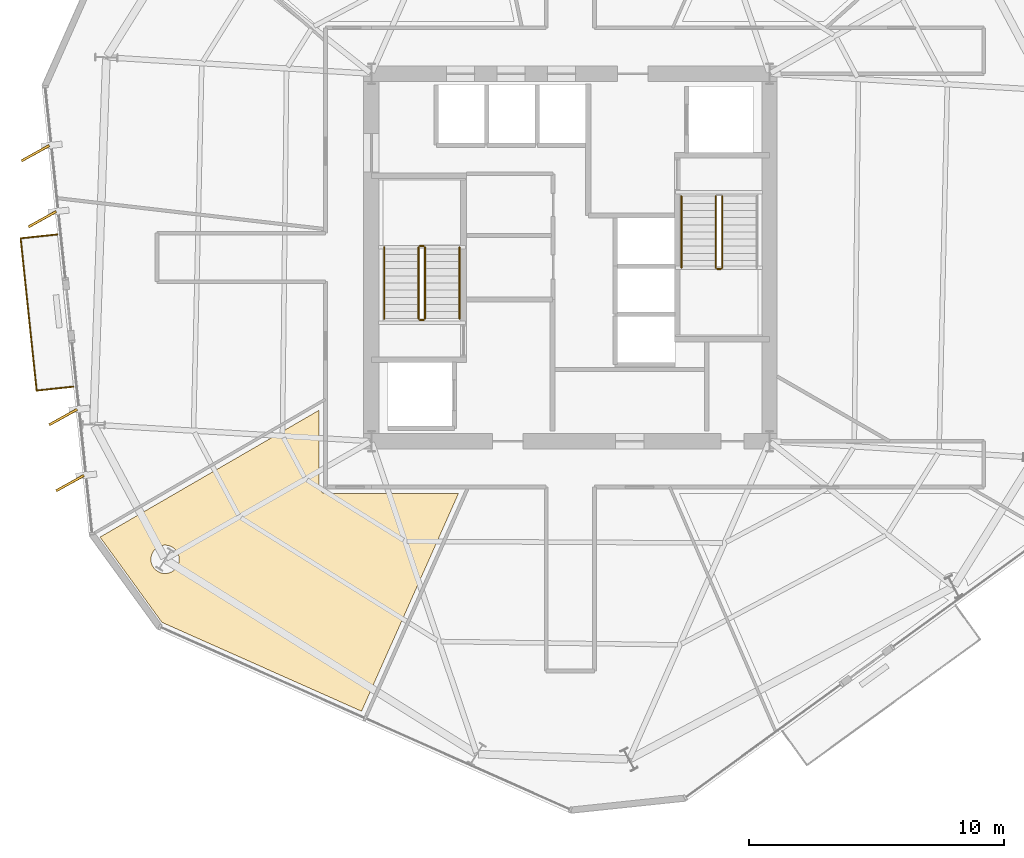
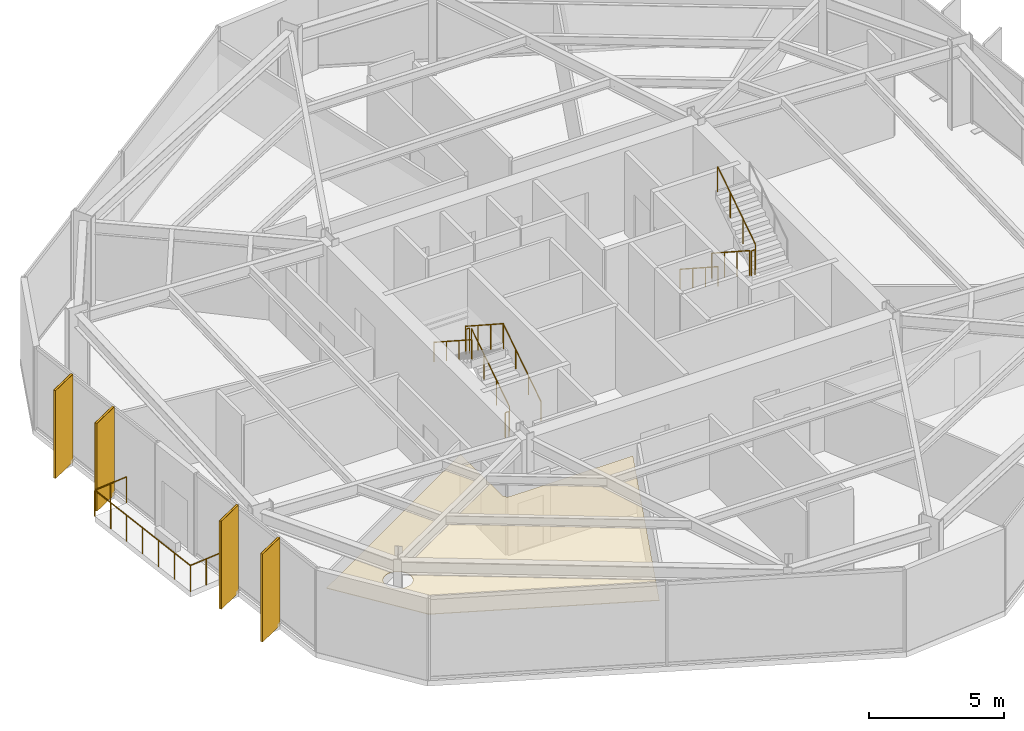
# One storey, part 10 of 12: 11 railings, 5 coverings, 4 shading devices.
"""IFC4 building model written with IfcOpenShell, lengths in metres."""

from ifc_helpers import new_model, si_unit, direction, frame, origin, origin_2d, place, context, subcontext, project, spatial, polyline, rectangle, circle, outline, extrude, material, layer, layer_set, type_object, element, save


model = new_model("IFC4")

# Units and contexts
model_context = context("Model", 3, precision=1e-05, world=origin(), true_north=direction((0.0, 1.0)))
body_context = subcontext(model_context, "Body", "Model", "MODEL_VIEW")
ifc_project = project(units=[si_unit("LENGTHUNIT", "METRE"), si_unit("AREAUNIT", "SQUARE_METRE"), si_unit("VOLUMEUNIT", "CUBIC_METRE"), si_unit("PLANEANGLEUNIT", "RADIAN"), si_unit("MASSUNIT", "GRAM", prefix="KILO")], contexts=[model_context])

# Site, building, storey
site_placement = place(None, origin())
site = spatial("IfcSite", under=ifc_project, at=site_placement, CompositionType="ELEMENT")
building_placement = place(site_placement, origin())
building = spatial("IfcBuilding", under=site, at=building_placement, Name="Kranzbogen Civic Tower", CompositionType="ELEMENT")
storey_placement = place(building_placement, frame((0.0, 0.0, 166.39990234375)))
storey = spatial("IfcBuildingStorey", under=building, at=storey_placement, Name="L40", CompositionType="ELEMENT", Elevation=166.39990234375)

# Coverings
ifc_material_1 = material(Name="Pale Anodised Aluminium", Category="aluminium")
ifc_layer_1 = layer(ifc_material_1, 0.02490234375, Name="Pale Anodised Aluminium")
ifc_layer_set_1 = layer_set([ifc_layer_1], Name="Pale Anodised Aluminium")
covering_type_1 = type_object("IfcCoveringType", Name="Anodised Aluminium Vertical Fin Cladding 25 mm", PredefinedType="CLADDING", material=ifc_layer_set_1)
for number, where, z_axis, x_axis, name in (
    (1, (4.032958984375, 29.0859375, -0.139892578125), (0.0, 0.0, 1.0), (-0.874501219693, -0.485023315682, 0.0), "L40 vertical fin pale-metal cladding F3-1"),
    (2, (4.304931640625, 26.5, -0.139892578125), (0.0, 0.0, 1.0), (-0.874501219693, -0.485023315682, 0.0), "L40 vertical fin pale-metal cladding F3-2"),
    (3, (5.1201171875, 18.742919921875, -0.139892578125), (0.0, 0.0, 1.0), (-0.874501219693, -0.485023315682, 0.0), "L40 vertical fin pale-metal cladding F3-5"),
    (4, (5.39111328125, 16.156982421875, -0.139892578125), (0.0, 0.0, 1.0), (-0.874501219693, -0.485023315682, 0.0), "L40 vertical fin pale-metal cladding F3-6"),
):
    element("IfcCovering", number, at=place(storey_placement, frame(where, z_axis=z_axis, x_axis=x_axis)), inside=storey, type_object=covering_type_1, Name=name, PredefinedType="CLADDING", context=body_context, shape_type="SweptSolid", body=[
        extrude(rectangle(XDim=1.25, YDim=0.10009765625, at=origin_2d()), origin(), (0.0, 0.0, 1.0), 3.9599609375),
    ])

# Shading devices
ifc_material_2 = material(Name="Anodised Bronze Aluminium", Category="aluminium")
shading_device_type = type_object("IfcShadingDeviceType", Name="Anodised Bronze Vertical Facade Fin 1250x80", PredefinedType="USERDEFINED", material=ifc_material_2)
for number, where, z_axis, x_axis, name in (
    (5, (4.032958984375, 29.0859375, -0.139892578125), (0.0, 0.0, 1.0), (-0.874501219693, -0.485023315682, 0.0), "L40 vertical exterior shading fin F3-1"),
    (6, (4.304931640625, 26.5, -0.139892578125), (0.0, 0.0, 1.0), (-0.874501219693, -0.485023315682, 0.0), "L40 vertical exterior shading fin F3-2"),
    (7, (5.1201171875, 18.742919921875, -0.139892578125), (0.0, 0.0, 1.0), (-0.874501219693, -0.485023315682, 0.0), "L40 vertical exterior shading fin F3-5"),
    (8, (5.39111328125, 16.156982421875, -0.139892578125), (0.0, 0.0, 1.0), (-0.874501219693, -0.485023315682, 0.0), "L40 vertical exterior shading fin F3-6"),
):
    element("IfcShadingDevice", number, at=place(storey_placement, frame(where, z_axis=z_axis, x_axis=x_axis)), inside=storey, type_object=shading_device_type, Name=name, ObjectType="FIN", PredefinedType="USERDEFINED", context=body_context, shape_type="SweptSolid", body=[
        extrude(rectangle(XDim=1.25, YDim=0.080078125, at=origin_2d()), origin(), (0.0, 0.0, 1.0), 3.9599609375),
    ])

# Railings
railing_type_1 = type_object("IfcRailingType", Name="Cantilevered Balcony Glass and Bronze Balustrade 1200", PredefinedType="BALUSTRADE", material=ifc_material_2)
railing_1_placement = place(storey_placement, frame((4.89501953125, 25.903076171875, 0.0)))
element("IfcRailing", 9, at=railing_1_placement, inside=storey, type_object=railing_type_1, Name="L40 exterior terrace balustrade L40-TB1", PredefinedType="BALUSTRADE", context=body_context, shape_type="SweptSolid", body=[
    extrude(circle(Radius=0.02392578125, at=origin_2d()), frame((0.0, 0.0, 1.17578125), z_axis=(-0.994484214912, -0.104886349397, 0.0), x_axis=(0.104886349397, -0.994484214912, 0.0)), (0.0, 0.0, 1.0), 1.4501953125),
    extrude(circle(Radius=0.02392578125, at=origin_2d()), frame((-1.442138671875, -0.152099609375, 1.17578125), z_axis=(0.104695375061, -0.99450433807, 0.0), x_axis=(0.99450433807, 0.104695375061, 0.0)), (0.0, 0.0, 1.0), 6.0),
    extrude(circle(Radius=0.02392578125, at=origin_2d()), frame((-0.81396484375, -6.119140625, 1.17578125), z_axis=(0.994482362328, 0.104903913263, 0.0), x_axis=(-0.104903913263, 0.994482362328, 0.0)), (0.0, 0.0, 1.0), 1.449951171875),
    extrude(circle(Radius=0.02099609375, at=origin_2d()), origin(), (0.0, 0.0, 1.0), 1.15185546875),
    extrude(circle(Radius=0.02099609375, at=origin_2d()), frame((-0.72119140625, -0.076171875, 0.0)), (0.0, 0.0, 1.0), 1.15185546875),
    extrude(circle(Radius=0.02099609375, at=origin_2d()), frame((-1.442138671875, -0.152099609375, 0.0)), (0.0, 0.0, 1.0), 1.15185546875),
    extrude(circle(Radius=0.02099609375, at=origin_2d()), frame((-1.33740234375, -1.146484375, 0.0)), (0.0, 0.0, 1.0), 1.15185546875),
    extrude(circle(Radius=0.02099609375, at=origin_2d()), frame((-1.232666015625, -2.14111328125, 0.0)), (0.0, 0.0, 1.0), 1.15185546875),
    extrude(circle(Radius=0.02099609375, at=origin_2d()), frame((-1.1279296875, -3.1357421875, 0.0)), (0.0, 0.0, 1.0), 1.15185546875),
    extrude(circle(Radius=0.02099609375, at=origin_2d()), frame((-1.0234375, -4.130126953125, 0.0)), (0.0, 0.0, 1.0), 1.15185546875),
    extrude(circle(Radius=0.02099609375, at=origin_2d()), frame((-0.918701171875, -5.12451171875, 0.0)), (0.0, 0.0, 1.0), 1.15185546875),
    extrude(circle(Radius=0.02099609375, at=origin_2d()), frame((-0.81396484375, -6.119140625, 0.0)), (0.0, 0.0, 1.0), 1.15185546875),
    extrude(circle(Radius=0.02099609375, at=origin_2d()), frame((-0.093017578125, -6.04296875, 0.0)), (0.0, 0.0, 1.0), 1.15185546875),
    extrude(circle(Radius=0.02099609375, at=origin_2d()), frame((0.6279296875, -5.967041015625, 0.0)), (0.0, 0.0, 1.0), 1.15185546875),
])
ifc_material_3 = material(Name="Steel S355", Category="steel")
railing_type_2 = type_object("IfcRailingType", Name="Internal Stair and Void Steel Guardrail 1150", PredefinedType="GUARDRAIL", material=ifc_material_3)
railing_2_placement = place(storey_placement, frame((19.300048828125, 22.60009765625, 0.181884765625)))
element("IfcRailing", 10, at=railing_2_placement, inside=storey, type_object=railing_type_2, Name="L40 ST-T1 stair guard 1", PredefinedType="GUARDRAIL", context=body_context, shape_type="SweptSolid", body=[
    extrude(circle(Radius=0.02392578125, at=origin_2d()), frame((0.0, 0.0, 1.1259765625), z_axis=(0.0, 0.83868413941, 0.544618136222), x_axis=(-1.0, 0.0, 0.0)), (0.0, 0.0, 1.0), 3.33837890625),
    extrude(circle(Radius=0.02099609375, at=origin_2d()), origin(), (0.0, 0.0, 1.0), 1.101806640625),
    extrude(circle(Radius=0.02099609375, at=origin_2d()), frame((0.0, 0.933349609375, 0.60595703125)), (0.0, 0.0, 1.0), 1.101806640625),
    extrude(circle(Radius=0.02099609375, at=origin_2d()), frame((0.0, 1.866455078125, 1.212158203125)), (0.0, 0.0, 1.0), 1.101806640625),
    extrude(circle(Radius=0.02099609375, at=origin_2d()), frame((0.0, 2.7998046875, 1.818115234375)), (0.0, 0.0, 1.0), 1.101806640625),
])
railing_3_placement = place(storey_placement, frame((19.25, 25.449951171875, 2.0)))
element("IfcRailing", 11, at=railing_3_placement, inside=storey, type_object=railing_type_2, Name="L40 ST-T1 stair guard 2", PredefinedType="GUARDRAIL", context=body_context, shape_type="SweptSolid", body=[
    extrude(circle(Radius=0.02392578125, at=origin_2d()), frame((0.0, 0.0, 1.1259765625), z_axis=(-1.0, 0.0, 0.0), x_axis=(0.0, -1.0, 0.0)), (0.0, 0.0, 1.0), 0.14990234375),
    extrude(circle(Radius=0.02099609375, at=origin_2d()), origin(), (0.0, 0.0, 1.0), 1.101806640625),
    extrude(circle(Radius=0.02099609375, at=origin_2d()), frame((-0.14990234375, 0.0, 0.0)), (0.0, 0.0, 1.0), 1.101806640625),
])
railing_4_placement = place(storey_placement, frame((19.050048828125, 25.39990234375, 2.181884765625)))
element("IfcRailing", 12, at=railing_4_placement, inside=storey, type_object=railing_type_2, Name="L40 ST-T1 stair guard 3", PredefinedType="GUARDRAIL", context=body_context, shape_type="SweptSolid", body=[
    extrude(circle(Radius=0.02392578125, at=origin_2d()), frame((0.0, 0.0, 1.1259765625), z_axis=(0.0, -0.83868413941, 0.544618136222), x_axis=(1.0, 0.0, 0.0)), (0.0, 0.0, 1.0), 3.33837890625),
    extrude(circle(Radius=0.02099609375, at=origin_2d()), origin(), (0.0, 0.0, 1.0), 1.101806640625),
    extrude(circle(Radius=0.02099609375, at=origin_2d()), frame((0.0, -0.933349609375, 0.60595703125)), (0.0, 0.0, 1.0), 1.101806640625),
    extrude(circle(Radius=0.02099609375, at=origin_2d()), frame((0.0, -1.866455078125, 1.212158203125)), (0.0, 0.0, 1.0), 1.101806640625),
    extrude(circle(Radius=0.02099609375, at=origin_2d()), frame((0.0, -2.7998046875, 1.818115234375)), (0.0, 0.0, 1.0), 1.101806640625),
])
railing_5_placement = place(storey_placement, frame((19.25, 22.550048828125, 0.0)))
element("IfcRailing", 13, at=railing_5_placement, inside=storey, type_object=railing_type_2, Name="L40 ST-T1 stair guard 4", PredefinedType="GUARDRAIL", context=body_context, shape_type="SweptSolid", body=[
    extrude(circle(Radius=0.02392578125, at=origin_2d()), frame((0.0, 0.0, 1.1259765625), z_axis=(-1.0, 0.0, 0.0), x_axis=(0.0, -1.0, 0.0)), (0.0, 0.0, 1.0), 0.14990234375),
    extrude(circle(Radius=0.02099609375, at=origin_2d()), origin(), (0.0, 0.0, 1.0), 1.101806640625),
    extrude(circle(Radius=0.02099609375, at=origin_2d()), frame((-0.14990234375, 0.0, 0.0)), (0.0, 0.0, 1.0), 1.101806640625),
])
railing_6_placement = place(storey_placement, frame((30.699951171875, 27.39990234375, 0.181884765625)))
element("IfcRailing", 14, at=railing_6_placement, inside=storey, type_object=railing_type_2, Name="L40 ST-T2 stair guard 1", PredefinedType="GUARDRAIL", context=body_context, shape_type="SweptSolid", body=[
    extrude(circle(Radius=0.02392578125, at=origin_2d()), frame((0.0, 0.0, 1.1259765625), z_axis=(0.0, -0.83868413941, 0.544618136222), x_axis=(1.0, 0.0, 0.0)), (0.0, 0.0, 1.0), 3.33837890625),
    extrude(circle(Radius=0.02099609375, at=origin_2d()), origin(), (0.0, 0.0, 1.0), 1.101806640625),
    extrude(circle(Radius=0.02099609375, at=origin_2d()), frame((0.0, -0.933349609375, 0.60595703125)), (0.0, 0.0, 1.0), 1.101806640625),
    extrude(circle(Radius=0.02099609375, at=origin_2d()), frame((0.0, -1.866455078125, 1.212158203125)), (0.0, 0.0, 1.0), 1.101806640625),
    extrude(circle(Radius=0.02099609375, at=origin_2d()), frame((0.0, -2.7998046875, 1.818115234375)), (0.0, 0.0, 1.0), 1.101806640625),
])
railing_7_placement = place(storey_placement, frame((30.75, 24.550048828125, 2.0)))
element("IfcRailing", 15, at=railing_7_placement, inside=storey, type_object=railing_type_2, Name="L40 ST-T2 stair guard 2", PredefinedType="GUARDRAIL", context=body_context, shape_type="SweptSolid", body=[
    extrude(circle(Radius=0.02392578125, at=origin_2d()), frame((0.0, 0.0, 1.1259765625), z_axis=(1.0, 0.0, 0.0), x_axis=(0.0, 1.0, 0.0)), (0.0, 0.0, 1.0), 0.14990234375),
    extrude(circle(Radius=0.02099609375, at=origin_2d()), origin(), (0.0, 0.0, 1.0), 1.101806640625),
    extrude(circle(Radius=0.02099609375, at=origin_2d()), frame((0.14990234375, 0.0, 0.0)), (0.0, 0.0, 1.0), 1.101806640625),
])
railing_8_placement = place(storey_placement, frame((30.949951171875, 24.60009765625, 2.181884765625)))
element("IfcRailing", 16, at=railing_8_placement, inside=storey, type_object=railing_type_2, Name="L40 ST-T2 stair guard 3", PredefinedType="GUARDRAIL", context=body_context, shape_type="SweptSolid", body=[
    extrude(circle(Radius=0.02392578125, at=origin_2d()), frame((0.0, 0.0, 1.1259765625), z_axis=(0.0, 0.83868413941, 0.544618136222), x_axis=(-1.0, 0.0, 0.0)), (0.0, 0.0, 1.0), 3.33837890625),
    extrude(circle(Radius=0.02099609375, at=origin_2d()), origin(), (0.0, 0.0, 1.0), 1.101806640625),
    extrude(circle(Radius=0.02099609375, at=origin_2d()), frame((0.0, 0.933349609375, 0.60595703125)), (0.0, 0.0, 1.0), 1.101806640625),
    extrude(circle(Radius=0.02099609375, at=origin_2d()), frame((0.0, 1.866455078125, 1.212158203125)), (0.0, 0.0, 1.0), 1.101806640625),
    extrude(circle(Radius=0.02099609375, at=origin_2d()), frame((0.0, 2.7998046875, 1.818115234375)), (0.0, 0.0, 1.0), 1.101806640625),
])

# Covering
ifc_material_4 = material(Name="Perforated Acoustic Gypsum Ceiling")
ifc_layer_2 = layer(ifc_material_4, 0.02490234375, Name="Perforated Acoustic Gypsum Ceiling")
ifc_layer_set_2 = layer_set([ifc_layer_2], Name="Perforated Acoustic Gypsum Ceiling")
covering_type_2 = type_object("IfcCoveringType", Name="Perforated Acoustic Mineral Ceiling Tile 25 mm", PredefinedType="CEILING", material=ifc_layer_set_2)
covering_placement = place(storey_placement, frame((0.0, 0.0, 2.75)))
element("IfcCovering", 17, at=covering_placement, inside=storey, type_object=covering_type_2, Name="L40 Urban Design Workshop acoustic ceiling", PredefinedType="CEILING", context=body_context, shape_type="SweptSolid", body=[
    extrude(outline(polyline([(6.56591796875, 14.041015625), (15.155029296875, 19.01611328125), (15.155029296875, 16.0), (15.155029296875, 15.990966796875), (15.156005859375, 15.985107421875), (15.156982421875, 15.967041015625), (15.157958984375, 15.9609375), (15.162109375, 15.944091796875), (15.1630859375, 15.93701171875), (15.16796875, 15.919921875), (15.169921875, 15.9140625), (15.177001953125, 15.89794921875), (15.179931640625, 15.89208984375), (15.18798828125, 15.876953125), (15.19189453125, 15.87109375), (15.200927734375, 15.85693359375), (15.205078125, 15.85205078125), (15.216064453125, 15.837890625), (15.220947265625, 15.8330078125), (15.23291015625, 15.821044921875), (15.238037109375, 15.81591796875), (15.251953125, 15.804931640625), (15.257080078125, 15.801025390625), (15.27099609375, 15.7919921875), (15.277099609375, 15.7880859375), (15.2919921875, 15.780029296875), (15.298095703125, 15.777099609375), (15.31396484375, 15.77001953125), (15.320068359375, 15.76806640625), (15.3369140625, 15.762939453125), (15.343994140625, 15.761962890625), (15.361083984375, 15.758056640625), (15.366943359375, 15.757080078125), (15.385009765625, 15.756103515625), (15.39111328125, 15.7548828125), (15.39990234375, 15.7548828125), (20.614990234375, 15.7548828125), (16.81396484375, 7.217041015625), (8.9951171875, 10.697998046875), (6.56591796875, 14.041015625)]), holes=[polyline([(9.6259765625, 12.958984375), (9.60302734375, 12.909912109375), (9.574951171875, 12.863037109375), (9.54296875, 12.819091796875), (9.506103515625, 12.779052734375), (9.466064453125, 12.741943359375), (9.422119140625, 12.7099609375), (9.375, 12.681884765625), (9.325927734375, 12.658935546875), (9.27490234375, 12.64111328125), (9.221923828125, 12.626953125), (9.16796875, 12.618896484375), (9.114013671875, 12.616943359375), (9.06005859375, 12.618896484375), (9.006103515625, 12.626953125), (8.952880859375, 12.64111328125), (8.902099609375, 12.658935546875), (8.85302734375, 12.681884765625), (8.805908203125, 12.7099609375), (8.761962890625, 12.741943359375), (8.721923828125, 12.779052734375), (8.68505859375, 12.819091796875), (8.653076171875, 12.863037109375), (8.625, 12.909912109375), (8.60205078125, 12.958984375), (8.583984375, 13.010009765625), (8.570068359375, 13.06298828125), (8.56201171875, 13.116943359375), (8.56005859375, 13.1708984375), (8.56201171875, 13.22509765625), (8.570068359375, 13.279052734375), (8.583984375, 13.33203125), (8.60205078125, 13.383056640625), (8.625, 13.431884765625), (8.653076171875, 13.47900390625), (8.68505859375, 13.52294921875), (8.721923828125, 13.56298828125), (8.761962890625, 13.60009765625), (8.805908203125, 13.632080078125), (8.85302734375, 13.659912109375), (8.902099609375, 13.68310546875), (8.952880859375, 13.700927734375), (9.006103515625, 13.715087890625), (9.06005859375, 13.722900390625), (9.114013671875, 13.72509765625), (9.16796875, 13.722900390625), (9.221923828125, 13.715087890625), (9.27490234375, 13.700927734375), (9.325927734375, 13.68310546875), (9.375, 13.659912109375), (9.422119140625, 13.632080078125), (9.466064453125, 13.60009765625), (9.506103515625, 13.56298828125), (9.54296875, 13.52294921875), (9.574951171875, 13.47900390625), (9.60302734375, 13.431884765625), (9.6259765625, 13.383056640625), (9.64404296875, 13.33203125), (9.657958984375, 13.279052734375), (9.666015625, 13.22509765625), (9.66796875, 13.1708984375), (9.666015625, 13.116943359375), (9.657958984375, 13.06298828125), (9.64404296875, 13.010009765625), (9.6259765625, 12.958984375)])]), origin(), (0.0, 0.0, 1.0), 0.025146484375),
])

# Railings
railing_type_3 = type_object("IfcRailingType", Name="Tubular Stainless Stair Wall Handrail 900", PredefinedType="HANDRAIL", material=ifc_material_1)
railing_9_placement = place(storey_placement, frame((20.64990234375, 22.60009765625, 0.181884765625)))
element("IfcRailing", 18, at=railing_9_placement, inside=storey, type_object=railing_type_3, Name="L40 ST-T1 stair handrail 1", PredefinedType="HANDRAIL", context=body_context, shape_type="SweptSolid", body=[
    extrude(circle(Radius=0.02392578125, at=origin_2d()), frame((0.0, 0.0, 0.8759765625), z_axis=(0.0, 0.83868413941, 0.544618136222), x_axis=(-1.0, 0.0, 0.0)), (0.0, 0.0, 1.0), 3.33837890625),
    extrude(circle(Radius=0.02099609375, at=origin_2d()), origin(), (0.0, 0.0, 1.0), 0.851806640625),
    extrude(circle(Radius=0.02099609375, at=origin_2d()), frame((0.0, 0.933349609375, 0.60595703125)), (0.0, 0.0, 1.0), 0.851806640625),
    extrude(circle(Radius=0.02099609375, at=origin_2d()), frame((0.0, 1.866455078125, 1.212158203125)), (0.0, 0.0, 1.0), 0.851806640625),
    extrude(circle(Radius=0.02099609375, at=origin_2d()), frame((0.0, 2.7998046875, 1.818115234375)), (0.0, 0.0, 1.0), 0.851806640625),
])
for number, where, name in (
    (19, (17.699951171875, 25.39990234375, 2.181884765625), "L40 ST-T1 stair handrail 2"),
    (20, (29.35009765625, 27.39990234375, 0.181884765625), "L40 ST-T2 stair handrail 1"),
):
    element("IfcRailing", number, at=place(storey_placement, frame(where)), inside=storey, type_object=railing_type_3, Name=name, PredefinedType="HANDRAIL", context=body_context, shape_type="SweptSolid", body=[
        extrude(circle(Radius=0.02392578125, at=origin_2d()), frame((0.0, 0.0, 0.8759765625), z_axis=(0.0, -0.83868413941, 0.544618136222), x_axis=(1.0, 0.0, 0.0)), (0.0, 0.0, 1.0), 3.33837890625),
        extrude(circle(Radius=0.02099609375, at=origin_2d()), origin(), (0.0, 0.0, 1.0), 0.851806640625),
        extrude(circle(Radius=0.02099609375, at=origin_2d()), frame((0.0, -0.933349609375, 0.60595703125)), (0.0, 0.0, 1.0), 0.851806640625),
        extrude(circle(Radius=0.02099609375, at=origin_2d()), frame((0.0, -1.866455078125, 1.212158203125)), (0.0, 0.0, 1.0), 0.851806640625),
        extrude(circle(Radius=0.02099609375, at=origin_2d()), frame((0.0, -2.7998046875, 1.818115234375)), (0.0, 0.0, 1.0), 0.851806640625),
    ])

save(model, "model.ifc")
